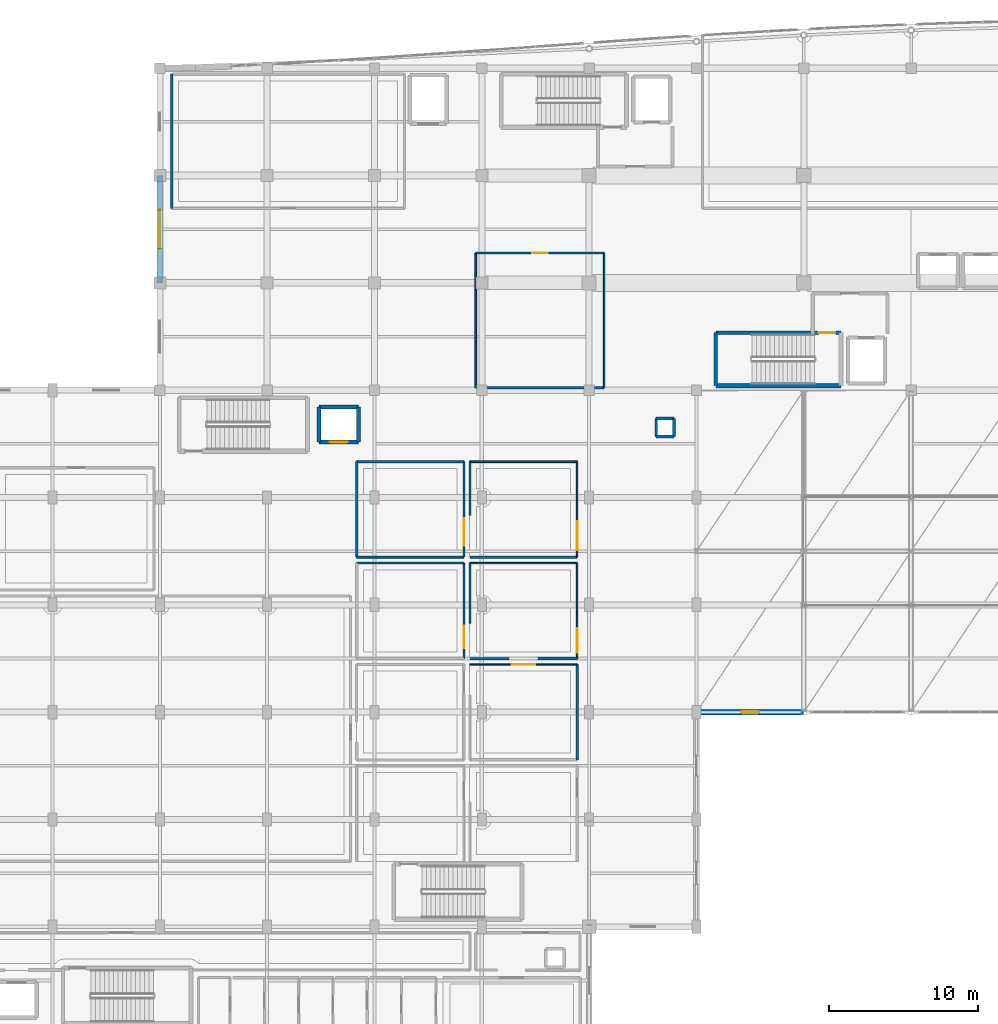
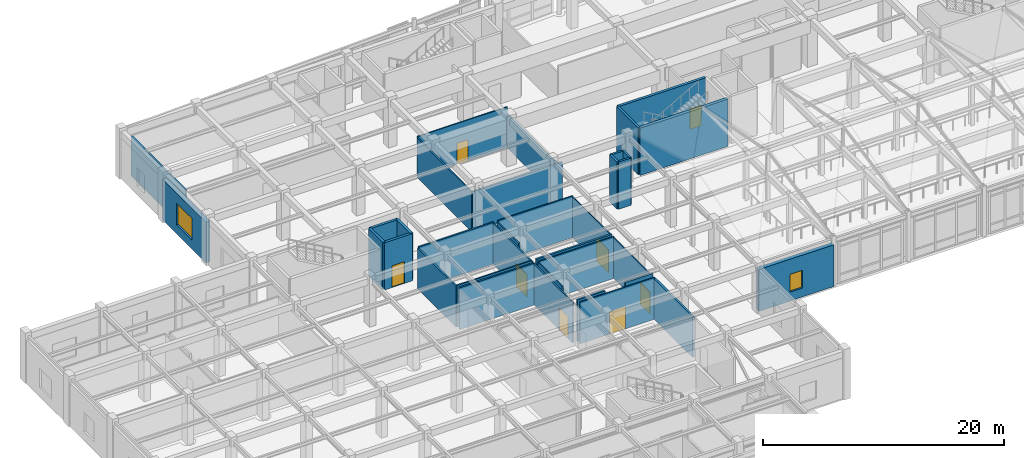
# One storey, part 90 of 117: 35 walls, 8 doors, 2 windows, 10 openings.
"""IFC4 building model written with IfcOpenShell, lengths in metres."""

from ifc_helpers import new_model, si_unit, direction, frame, frame_2d, origin, place, context, subcontext, project, spatial, rectangle, extrude, material, layer, layer_set, type_object, element, fill, save


model = new_model("IFC4")

# Units and contexts
model_context = context("Model", 3, precision=1e-05, world=origin(), true_north=direction((0.0, 1.0)))
body_context = subcontext(model_context, "Body", "Model", "MODEL_VIEW")
ifc_project = project(units=[si_unit("LENGTHUNIT", "METRE"), si_unit("AREAUNIT", "SQUARE_METRE"), si_unit("VOLUMEUNIT", "CUBIC_METRE"), si_unit("PLANEANGLEUNIT", "RADIAN"), si_unit("MASSUNIT", "GRAM", prefix="KILO")], contexts=[model_context])

# Site, building, storey
site_placement = place(None, origin())
site = spatial("IfcSite", under=ifc_project, at=site_placement, CompositionType="ELEMENT")
building_placement = place(site_placement, origin())
building = spatial("IfcBuilding", under=site, at=building_placement, Name="Carrowvane Square Congress Hotel", CompositionType="ELEMENT")
storey_placement = place(building_placement, frame((0.0, 0.0, 5.39990234375)))
storey = spatial("IfcBuildingStorey", under=building, at=storey_placement, Name="L01", CompositionType="ELEMENT", Elevation=5.39990234375)

# Wall, opening, window
ifc_material_1 = material(Name="Portland limestone cladding", Category="masonry")
ifc_layer_1 = layer(ifc_material_1, 0.3798828125)
ifc_layer_set_1 = layer_set([ifc_layer_1], Name="Portland limestone cladding")
wall_type_1 = type_object("IfcWallType", Name="WL-EXT-LS380", PredefinedType="STANDARD", material=ifc_layer_set_1)
wall_1_placement = place(storey_placement, frame((76.39990234375, 70.199951171875, 0.0), z_axis=(0.0, 0.0, 1.0), x_axis=(-1.0, 0.0, 0.0)))
wall_1 = element("IfcWall", 1, at=wall_1_placement, inside=storey, type_object=wall_type_1, Name="L01 exterior facade wall 251", PredefinedType="STANDARD", context=body_context, shape_type="SweptSolid", body=[
    extrude(rectangle(XDim=7.199951171875, YDim=0.3798828125, at=frame_2d((3.60009765625, 0.0))), origin(), (0.0, 0.0, 1.0), 4.228515625),
])
opening_1_placement = place(wall_1_placement, frame((3.0, 0.0, 0.89990234375)))
opening_1 = element("IfcOpeningElement", 2, at=opening_1_placement, cuts=wall_1, Name="Opening W-01", PredefinedType="OPENING", context=body_context, shape_type="SweptSolid", body=[
    extrude(rectangle(XDim=1.199951171875, YDim=1.800048828125, at=frame_2d((0.60009765625, 0.89990234375))), frame((0.0, 0.199951171875, 0.0), z_axis=(0.0, -1.0, 0.0), x_axis=(1.0, 0.0, 0.0)), (0.0, 0.0, 1.0), 0.39990234375),
])
ifc_material_2 = material(Name="Double-glazed low-E glass", Category="glass")
window_type_1 = type_object("IfcWindowType", Name="WIN-01", PartitioningType="SINGLE_PANEL", PredefinedType="WINDOW", material=ifc_material_2)
window_1_placement = place(opening_1_placement, origin())
window_1 = element("IfcWindow", 3, at=window_1_placement, inside=storey, type_object=window_type_1, Name="L01 facade window 74", OverallHeight=1.800048828125, OverallWidth=1.199951171875, PartitioningType="SINGLE_PANEL", PredefinedType="WINDOW", context=body_context, shape_type="SweptSolid", body=[
    extrude(rectangle(XDim=1.199951171875, YDim=1.800048828125, at=frame_2d((0.60009765625, 0.89990234375))), frame((0.0, 0.030029296875, 0.0), z_axis=(0.0, -1.0, 0.0), x_axis=(1.0, 0.0, 0.0)), (0.0, 0.0, 1.0), 0.06005859375),
])
fill(opening_1, window_1)

ifc_material_3 = material(Name="Glazed terracotta rainscreen", Category="masonry")
ifc_layer_2 = layer(ifc_material_3, 0.39990234375)
ifc_layer_set_2 = layer_set([ifc_layer_2], Name="Glazed terracotta rainscreen")
wall_type_2 = type_object("IfcWallType", Name="WL-EXT-TC400", PredefinedType="STANDARD", material=ifc_layer_set_2)
wall_2_placement = place(storey_placement, frame((33.199951171875, 99.0, 0.0), z_axis=(0.0, 0.0, 1.0), x_axis=(0.0, 1.0, 0.0)))
wall_2 = element("IfcWall", 4, at=wall_2_placement, inside=storey, type_object=wall_type_2, Name="L01 exterior facade wall 214", PredefinedType="STANDARD", context=body_context, shape_type="SweptSolid", body=[
    extrude(rectangle(XDim=7.199951171875, YDim=0.39990234375, at=frame_2d((3.60009765625, 0.0))), origin(), (0.0, 0.0, 1.0), 4.114990234375),
])
opening_2_placement = place(wall_2_placement, frame((2.300048828125, 0.0, 0.89990234375)))
opening_2 = element("IfcOpeningElement", 5, at=opening_2_placement, cuts=wall_2, Name="Opening W-36", PredefinedType="OPENING", context=body_context, shape_type="SweptSolid", body=[
    extrude(rectangle(XDim=2.60009765625, YDim=2.199951171875, at=frame_2d((1.300048828125, 1.10009765625))), frame((0.0, 0.2099609375, 0.0), z_axis=(0.0, -1.0, 0.0), x_axis=(1.0, 0.0, 0.0)), (0.0, 0.0, 1.0), 0.419921875),
])
ifc_material_4 = material(Name="Double-glazed low-E glass", Category="glass")
window_type_2 = type_object("IfcWindowType", Name="WIN-36", PartitioningType="SINGLE_PANEL", PredefinedType="WINDOW", material=ifc_material_4)
window_2_placement = place(opening_2_placement, origin())
window_2 = element("IfcWindow", 6, at=window_2_placement, inside=storey, type_object=window_type_2, Name="L01 facade window 41", OverallHeight=2.199951171875, OverallWidth=2.60009765625, PartitioningType="SINGLE_PANEL", PredefinedType="WINDOW", context=body_context, shape_type="SweptSolid", body=[
    extrude(rectangle(XDim=2.60009765625, YDim=2.199951171875, at=frame_2d((1.300048828125, 1.10009765625))), frame((0.0, 0.030029296875, 0.0), z_axis=(0.0, -1.0, 0.0), x_axis=(1.0, 0.0, 0.0)), (0.0, 0.0, 1.0), 0.06005859375),
])
fill(opening_2, window_2)

# Walls
ifc_material_5 = material(Name="Acoustic gypsum board", Category="gypsum")
ifc_layer_3 = layer(ifc_material_5, 0.155029296875)
ifc_layer_set_3 = layer_set([ifc_layer_3], Name="Acoustic gypsum board")
wall_type_3 = type_object("IfcWallType", Name="WL-FIR-155", PredefinedType="PARTITIONING", material=ifc_layer_set_3)
wall_3_placement = place(storey_placement, frame((46.39990234375, 80.60009765625, 0.0), z_axis=(0.0, 0.0, 1.0), x_axis=(0.0, 1.0, 0.0)))
element("IfcWall", 7, at=wall_3_placement, inside=storey, type_object=wall_type_3, Name="L01 Thermal Treatment Suite 107 partition", PredefinedType="PARTITIONING", context=body_context, shape_type="SweptSolid", body=[
    extrude(rectangle(XDim=6.39990234375, YDim=0.155029296875, at=frame_2d((3.199951171875, 0.0))), origin(), (0.0, 0.0, 1.0), 4.114990234375),
])
wall_4_placement = place(storey_placement, frame((34.0, 104.0, 0.0), z_axis=(0.0, 0.0, 1.0), x_axis=(0.0, 1.0, 0.0)))
element("IfcWall", 8, at=wall_4_placement, inside=storey, type_object=wall_type_3, Name="L01 Sommelier Wine Tasting Cellar partition", PredefinedType="PARTITIONING", context=body_context, shape_type="SweptSolid", body=[
    extrude(rectangle(XDim=9.0, YDim=0.155029296875, at=frame_2d((4.5, 0.0))), origin(), (0.0, 0.0, 1.0), 4.01513671875),
])
ifc_material_6 = material(Name="Acoustic gypsum board", Category="gypsum")
ifc_layer_4 = layer(ifc_material_6, 0.169921875)
ifc_layer_set_4 = layer_set([ifc_layer_4], Name="Acoustic gypsum board")
wall_type_4 = type_object("IfcWallType", Name="WL-FIR-170", PredefinedType="PARTITIONING", material=ifc_layer_set_4)
wall_5_placement = place(storey_placement, frame((56.639892578125, 73.800048828125, 0.0), z_axis=(0.0, 0.0, 1.0), x_axis=(-1.0, 0.0, 0.0)))
element("IfcWall", 9, at=wall_5_placement, inside=storey, type_object=wall_type_4, Name="L01 Thermal Treatment Suite 106 partition", PredefinedType="PARTITIONING", context=body_context, shape_type="SweptSolid", body=[
    extrude(rectangle(XDim=2.639892578125, YDim=0.169921875, at=frame_2d((1.31982421875, 0.0))), origin(), (0.0, 0.0, 1.0), 4.228515625),
])
ifc_material_7 = material(Name="Acoustic gypsum board", Category="gypsum")
ifc_layer_5 = layer(ifc_material_7, 0.18505859375)
ifc_layer_set_5 = layer_set([ifc_layer_5], Name="Acoustic gypsum board")
wall_type_5 = type_object("IfcWallType", Name="WL-FIR-185", PredefinedType="PARTITIONING", material=ifc_layer_set_5)
wall_6_placement = place(storey_placement, frame((61.199951171875, 73.39990234375, 0.0), z_axis=(0.0, 0.0, 1.0), x_axis=(0.0, -1.0, 0.0)))
element("IfcWall", 10, at=wall_6_placement, inside=storey, type_object=wall_type_5, Name="L01 Thermal Treatment Suite 104 partition", PredefinedType="PARTITIONING", context=body_context, shape_type="SweptSolid", body=[
    extrude(rectangle(XDim=6.39990234375, YDim=0.18505859375, at=frame_2d((3.199951171875, 0.0))), origin(), (0.0, 0.0, 1.0), 4.114990234375),
])
wall_7_placement = place(storey_placement, frame((61.199951171875, 73.800048828125, 0.0), z_axis=(0.0, 0.0, 1.0), x_axis=(-1.0, 0.0, 0.0)))
element("IfcWall", 11, at=wall_7_placement, inside=storey, type_object=wall_type_5, Name="L01 Thermal Treatment Suite 106 partition", PredefinedType="PARTITIONING", context=body_context, shape_type="SweptSolid", body=[
    extrude(rectangle(XDim=2.639892578125, YDim=0.18505859375, at=frame_2d((1.31982421875, 0.0))), origin(), (0.0, 0.0, 1.0), 4.406982421875),
])
wall_8_placement = place(storey_placement, frame((61.199951171875, 80.60009765625, 0.0), z_axis=(0.0, 0.0, 1.0), x_axis=(-1.0, 0.0, 0.0)))
element("IfcWall", 12, at=wall_8_placement, inside=storey, type_object=wall_type_5, Name="L01 Thermal Treatment Suite 108 partition", PredefinedType="PARTITIONING", context=body_context, shape_type="SweptSolid", body=[
    extrude(rectangle(XDim=7.199951171875, YDim=0.18505859375, at=frame_2d((3.60009765625, 0.0))), origin(), (0.0, 0.0, 1.0), 4.228515625),
])
wall_9_placement = place(storey_placement, frame((63.0, 91.9599609375, 0.0), z_axis=(0.0, 0.0, 1.0), x_axis=(-1.0, 0.0, 0.0)))
element("IfcWall", 13, at=wall_9_placement, inside=storey, type_object=wall_type_5, Name="L01 First Floor Accessible WC partition", PredefinedType="PARTITIONING", context=body_context, shape_type="SweptSolid", body=[
    extrude(rectangle(XDim=8.60009765625, YDim=0.18505859375, at=frame_2d((4.300048828125, 0.0))), origin(), (0.0, 0.0, 1.0), 4.01513671875),
])
ifc_material_8 = material(Name="Standing-seam zinc cladding", Category="metal")
ifc_layer_6 = layer(ifc_material_8, 0.195068359375)
ifc_layer_set_6 = layer_set([ifc_layer_6], Name="Standing-seam zinc cladding")
wall_type_6 = type_object("IfcWallType", Name="WL-PAR-195", PredefinedType="PARAPET", material=ifc_layer_set_6)
for number, where, z_axis, x_axis, name in (
    (14, (66.5, 88.699951171875, 0.0), (0.0, 0.0, 1.0), (1.0, 0.0, 0.0), "L01 service riser RSR-V4 enclosure S"),
    (15, (67.699951171875, 88.699951171875, 0.0), (0.0, 0.0, 1.0), (0.0, 1.0, 0.0), "L01 service riser RSR-V4 enclosure E"),
    (16, (67.699951171875, 89.89990234375, 0.0), (0.0, 0.0, 1.0), (-1.0, 0.0, 0.0), "L01 service riser RSR-V4 enclosure N"),
    (17, (66.5, 89.89990234375, 0.0), (0.0, 0.0, 1.0), (0.0, -1.0, 0.0), "L01 service riser RSR-V4 enclosure W"),
):
    element("IfcWall", number, at=place(storey_placement, frame(where, z_axis=z_axis, x_axis=x_axis)), inside=storey, type_object=wall_type_6, Name=name, PredefinedType="PARAPET", context=body_context, shape_type="SweptSolid", body=[
        extrude(rectangle(XDim=1.199951171875, YDim=0.195068359375, at=frame_2d((0.60009765625, 0.0))), origin(), (0.0, 0.0, 1.0), 4.780029296875),
    ])

# Wall, opening, door
ifc_material_9 = material(Name="Acoustic gypsum board", Category="gypsum")
ifc_layer_7 = layer(ifc_material_9, 0.097900390625)
ifc_layer_set_7 = layer_set([ifc_layer_7], Name="Acoustic gypsum board")
wall_type_7 = type_object("IfcWallType", Name="WL-PRT-098", PredefinedType="PARTITIONING", material=ifc_layer_set_7)
wall_10_placement = place(storey_placement, frame((54.0, 73.39990234375, 0.0), z_axis=(0.0, 0.0, 1.0), x_axis=(1.0, 0.0, 0.0)))
wall_10 = element("IfcWall", 18, at=wall_10_placement, inside=storey, type_object=wall_type_7, Name="L01 Thermal Treatment Suite 104 partition", PredefinedType="PARTITIONING", context=body_context, shape_type="SweptSolid", body=[
    extrude(rectangle(XDim=7.199951171875, YDim=0.097900390625, at=frame_2d((3.60009765625, 0.0))), origin(), (0.0, 0.0, 1.0), 4.228515625),
])
opening_3_placement = place(wall_10_placement, frame((2.820068359375, 0.0, 0.0)))
opening_3 = element("IfcOpeningElement", 19, at=opening_3_placement, cuts=wall_10, Name="Opening ID-26", PredefinedType="OPENING", context=body_context, shape_type="SweptSolid", body=[
    extrude(rectangle(XDim=1.56005859375, YDim=2.260009765625, at=frame_2d((0.780029296875, 1.1298828125))), frame((0.0, 0.058837890625, 0.0), z_axis=(0.0, -1.0, 0.0), x_axis=(1.0, 0.0, 0.0)), (0.0, 0.0, 1.0), 0.117919921875),
])
ifc_material_10 = material(Name="European oak timber", Category="wood")
door_type_1 = type_object("IfcDoorType", Name="DR-INT-1560x2260", OperationType="DOUBLE_DOOR_SINGLE_SWING", PredefinedType="DOOR", material=ifc_material_10)
door_1_placement = place(opening_3_placement, origin())
door_1 = element("IfcDoor", 20, at=door_1_placement, inside=storey, type_object=door_type_1, Name="L01 Thermal Treatment Suite 104 entrance door", OperationType="DOUBLE_DOOR_SINGLE_SWING", OverallHeight=2.260009765625, OverallWidth=1.56005859375, PredefinedType="DOOR", context=body_context, shape_type="SweptSolid", body=[
    extrude(rectangle(XDim=1.56005859375, YDim=2.260009765625, at=frame_2d((0.780029296875, 1.1298828125))), frame((0.0, 0.02490234375, 0.0), z_axis=(0.0, -1.0, 0.0), x_axis=(1.0, 0.0, 0.0)), (0.0, 0.0, 1.0), 0.050048828125),
])
fill(opening_3, door_1)

wall_11_placement = place(storey_placement, frame((61.199951171875, 80.199951171875, 0.0), z_axis=(0.0, 0.0, 1.0), x_axis=(0.0, -1.0, 0.0)))
wall_11 = element("IfcWall", 21, at=wall_11_placement, inside=storey, type_object=wall_type_7, Name="L01 Thermal Treatment Suite 106 partition", PredefinedType="PARTITIONING", context=body_context, shape_type="SweptSolid", body=[
    extrude(rectangle(XDim=6.39990234375, YDim=0.097900390625, at=frame_2d((3.199951171875, 0.0))), origin(), (0.0, 0.0, 1.0), 4.114990234375),
])
opening_4_placement = place(wall_11_placement, frame((4.375, 0.0, 0.0)))
opening_4 = element("IfcOpeningElement", 22, at=opening_4_placement, cuts=wall_11, Name="Opening ID-12", PredefinedType="OPENING", context=body_context, shape_type="SweptSolid", body=[
    extrude(rectangle(XDim=1.64990234375, YDim=2.25, at=frame_2d((0.824951171875, 1.125))), frame((0.0, 0.058837890625, 0.0), z_axis=(0.0, -1.0, 0.0), x_axis=(1.0, 0.0, 0.0)), (0.0, 0.0, 1.0), 0.117919921875),
])
ifc_material_11 = material(Name="European oak timber", Category="wood")
door_type_2 = type_object("IfcDoorType", Name="DR-INT-1650x2250", OperationType="DOUBLE_DOOR_SINGLE_SWING", PredefinedType="DOOR", material=ifc_material_11)
door_2_placement = place(opening_4_placement, origin())
door_2 = element("IfcDoor", 23, at=door_2_placement, inside=storey, type_object=door_type_2, Name="L01 Thermal Treatment Suite 106 entrance door", OperationType="DOUBLE_DOOR_SINGLE_SWING", OverallHeight=2.25, OverallWidth=1.64990234375, PredefinedType="DOOR", context=body_context, shape_type="SweptSolid", body=[
    extrude(rectangle(XDim=1.64990234375, YDim=2.25, at=frame_2d((0.824951171875, 1.125))), frame((0.0, 0.02490234375, 0.0), z_axis=(0.0, -1.0, 0.0), x_axis=(1.0, 0.0, 0.0)), (0.0, 0.0, 1.0), 0.050048828125),
])
fill(opening_4, door_2)

wall_12_placement = place(storey_placement, frame((61.199951171875, 87.0, 0.0), z_axis=(0.0, 0.0, 1.0), x_axis=(0.0, -1.0, 0.0)))
wall_12 = element("IfcWall", 24, at=wall_12_placement, inside=storey, type_object=wall_type_7, Name="L01 Thermal Treatment Suite 108 partition", PredefinedType="PARTITIONING", context=body_context, shape_type="SweptSolid", body=[
    extrude(rectangle(XDim=6.39990234375, YDim=0.097900390625, at=frame_2d((3.199951171875, 0.0))), origin(), (0.0, 0.0, 1.0), 4.114990234375),
])
opening_5_placement = place(wall_12_placement, frame((3.97509765625, 0.0, 0.0)))
opening_5 = element("IfcOpeningElement", 25, at=opening_5_placement, cuts=wall_12, Name="Opening ID-14", PredefinedType="OPENING", context=body_context, shape_type="SweptSolid", body=[
    extrude(rectangle(XDim=1.949951171875, YDim=2.35009765625, at=frame_2d((0.97509765625, 1.175048828125))), frame((0.0, 0.058837890625, 0.0), z_axis=(0.0, -1.0, 0.0), x_axis=(1.0, 0.0, 0.0)), (0.0, 0.0, 1.0), 0.117919921875),
])
ifc_material_12 = material(Name="European oak timber", Category="wood")
door_type_3 = type_object("IfcDoorType", Name="DR-INT-1950x2350", OperationType="DOUBLE_DOOR_SINGLE_SWING", PredefinedType="DOOR", material=ifc_material_12)
door_3_placement = place(opening_5_placement, origin())
door_3 = element("IfcDoor", 26, at=door_3_placement, inside=storey, type_object=door_type_3, Name="L01 Thermal Treatment Suite 108 entrance door", OperationType="DOUBLE_DOOR_SINGLE_SWING", OverallHeight=2.35009765625, OverallWidth=1.949951171875, PredefinedType="DOOR", context=body_context, shape_type="SweptSolid", body=[
    extrude(rectangle(XDim=1.949951171875, YDim=2.35009765625, at=frame_2d((0.97509765625, 1.175048828125))), frame((0.0, 0.02490234375, 0.0), z_axis=(0.0, -1.0, 0.0), x_axis=(1.0, 0.0, 0.0)), (0.0, 0.0, 1.0), 0.050048828125),
])
fill(opening_5, door_3)

# Walls
wall_13_placement = place(storey_placement, frame((63.0, 101.0, 0.0), z_axis=(0.0, 0.0, 1.0), x_axis=(0.0, -1.0, 0.0)))
element("IfcWall", 27, at=wall_13_placement, inside=storey, type_object=wall_type_7, Name="L01 First Floor Accessible WC partition", PredefinedType="PARTITIONING", context=body_context, shape_type="SweptSolid", body=[
    extrude(rectangle(XDim=9.0400390625, YDim=0.097900390625, at=frame_2d((4.52001953125, 0.0))), origin(), (0.0, 0.0, 1.0), 3.445068359375),
])
ifc_material_13 = material(Name="Acoustic gypsum board", Category="gypsum")
ifc_layer_8 = layer(ifc_material_13, 0.10791015625)
ifc_layer_set_8 = layer_set([ifc_layer_8], Name="Acoustic gypsum board")
wall_type_8 = type_object("IfcWallType", Name="WL-PRT-108", PredefinedType="PARTITIONING", material=ifc_layer_set_8)
for number, where, z_axis, x_axis, name in (
    (28, (54.0, 80.199951171875, 0.0), (0.0, 0.0, 1.0), (1.0, 0.0, 0.0), "L01 Thermal Treatment Suite 106 partition"),
    (29, (54.0, 87.0, 0.0), (0.0, 0.0, 1.0), (1.0, 0.0, 0.0), "L01 Thermal Treatment Suite 108 partition"),
):
    element("IfcWall", number, at=place(storey_placement, frame(where, z_axis=z_axis, x_axis=x_axis)), inside=storey, type_object=wall_type_8, Name=name, PredefinedType="PARTITIONING", context=body_context, shape_type="SweptSolid", body=[
        extrude(rectangle(XDim=7.199951171875, YDim=0.10791015625, at=frame_2d((3.60009765625, 0.0))), origin(), (0.0, 0.0, 1.0), 4.228515625),
    ])

# Wall, opening, door
wall_14_placement = place(storey_placement, frame((54.39990234375, 101.0, 0.0), z_axis=(0.0, 0.0, 1.0), x_axis=(1.0, 0.0, 0.0)))
wall_14 = element("IfcWall", 30, at=wall_14_placement, inside=storey, type_object=wall_type_8, Name="L01 First Floor Accessible WC partition", PredefinedType="PARTITIONING", context=body_context, shape_type="SweptSolid", body=[
    extrude(rectangle(XDim=8.60009765625, YDim=0.10791015625, at=frame_2d((4.300048828125, 0.0))), origin(), (0.0, 0.0, 1.0), 4.114990234375),
])
opening_6_placement = place(wall_14_placement, frame((3.780029296875, 0.0, 0.0)))
opening_6 = element("IfcOpeningElement", 31, at=opening_6_placement, cuts=wall_14, Name="Opening ID-07", PredefinedType="OPENING", context=body_context, shape_type="SweptSolid", body=[
    extrude(rectangle(XDim=1.0400390625, YDim=2.1201171875, at=frame_2d((0.52001953125, 1.06005859375))), frame((0.0, 0.06396484375, 0.0), z_axis=(0.0, -1.0, 0.0), x_axis=(1.0, 0.0, 0.0)), (0.0, 0.0, 1.0), 0.1279296875),
])
ifc_material_14 = material(Name="European oak timber", Category="wood")
door_type_4 = type_object("IfcDoorType", Name="DR-INT-1040x2120", OperationType="NOTDEFINED", PredefinedType="DOOR", material=ifc_material_14)
door_4_placement = place(opening_6_placement, origin())
door_4 = element("IfcDoor", 32, at=door_4_placement, inside=storey, type_object=door_type_4, Name="L01 First Floor Accessible WC entrance door", OperationType="SINGLE_SWING_RIGHT", OverallHeight=2.1201171875, OverallWidth=1.0400390625, PredefinedType="DOOR", context=body_context, shape_type="SweptSolid", body=[
    extrude(rectangle(XDim=1.0400390625, YDim=2.1201171875, at=frame_2d((0.52001953125, 1.06005859375))), frame((0.0, 0.02490234375, 0.0), z_axis=(0.0, -1.0, 0.0), x_axis=(1.0, 0.0, 0.0)), (0.0, 0.0, 1.0), 0.050048828125),
])
fill(opening_6, door_4)

# Walls
ifc_material_15 = material(Name="Acoustic gypsum board", Category="gypsum")
ifc_layer_9 = layer(ifc_material_15, 0.117919921875)
ifc_layer_set_9 = layer_set([ifc_layer_9], Name="Acoustic gypsum board")
wall_type_9 = type_object("IfcWallType", Name="WL-PRT-118", PredefinedType="PARTITIONING", material=ifc_layer_set_9)
wall_15_placement = place(storey_placement, frame((54.0, 76.179931640625, 0.0), z_axis=(0.0, 0.0, 1.0), x_axis=(0.0, 1.0, 0.0)))
element("IfcWall", 33, at=wall_15_placement, inside=storey, type_object=wall_type_9, Name="L01 Thermal Treatment Suite 106 partition", PredefinedType="PARTITIONING", context=body_context, shape_type="SweptSolid", body=[
    extrude(rectangle(XDim=4.02001953125, YDim=0.117919921875, at=frame_2d((2.010009765625, 0.0))), origin(), (0.0, 0.0, 1.0), 4.114990234375),
])
wall_16_placement = place(storey_placement, frame((54.0, 83.405029296875, 0.0), z_axis=(0.0, 0.0, 1.0), x_axis=(0.0, 1.0, 0.0)))
element("IfcWall", 34, at=wall_16_placement, inside=storey, type_object=wall_type_9, Name="L01 Thermal Treatment Suite 108 partition", PredefinedType="PARTITIONING", context=body_context, shape_type="SweptSolid", body=[
    extrude(rectangle(XDim=3.594970703125, YDim=0.117919921875, at=frame_2d((1.79736328125, 0.0))), origin(), (0.0, 0.0, 1.0), 4.114990234375),
])
wall_17_placement = place(storey_placement, frame((54.39990234375, 91.9599609375, 0.0), z_axis=(0.0, 0.0, 1.0), x_axis=(0.0, 1.0, 0.0)))
element("IfcWall", 35, at=wall_17_placement, inside=storey, type_object=wall_type_9, Name="L01 First Floor Accessible WC partition", PredefinedType="PARTITIONING", context=body_context, shape_type="SweptSolid", body=[
    extrude(rectangle(XDim=9.0400390625, YDim=0.117919921875, at=frame_2d((4.52001953125, 0.0))), origin(), (0.0, 0.0, 1.0), 4.01513671875),
])
ifc_material_16 = material(Name="Acoustic gypsum board", Category="gypsum")
ifc_layer_10 = layer(ifc_material_16, 0.1279296875)
ifc_layer_set_10 = layer_set([ifc_layer_10], Name="Acoustic gypsum board")
wall_type_10 = type_object("IfcWallType", Name="WL-PRT-128", PredefinedType="PARTITIONING", material=ifc_layer_set_10)
wall_18_placement = place(storey_placement, frame((53.60009765625, 80.60009765625, 0.0), z_axis=(0.0, 0.0, 1.0), x_axis=(-1.0, 0.0, 0.0)))
element("IfcWall", 36, at=wall_18_placement, inside=storey, type_object=wall_type_10, Name="L01 Thermal Treatment Suite 107 partition", PredefinedType="PARTITIONING", context=body_context, shape_type="SweptSolid", body=[
    extrude(rectangle(XDim=7.2001953125, YDim=0.1279296875, at=frame_2d((3.60009765625, 0.0))), origin(), (0.0, 0.0, 1.0), 4.228515625),
])

# Wall, opening, door
ifc_material_17 = material(Name="Acoustic gypsum board", Category="gypsum")
ifc_layer_11 = layer(ifc_material_17, 0.137939453125)
ifc_layer_set_11 = layer_set([ifc_layer_11], Name="Acoustic gypsum board")
wall_type_11 = type_object("IfcWallType", Name="WL-PRT-138", PredefinedType="PARTITIONING", material=ifc_layer_set_11)
wall_19_placement = place(storey_placement, frame((53.60009765625, 80.199951171875, 0.0), z_axis=(0.0, 0.0, 1.0), x_axis=(0.0, -1.0, 0.0)))
wall_19 = element("IfcWall", 37, at=wall_19_placement, inside=storey, type_object=wall_type_11, Name="L01 Thermal Treatment Suite 105 partition", PredefinedType="PARTITIONING", context=body_context, shape_type="SweptSolid", body=[
    extrude(rectangle(XDim=6.39990234375, YDim=0.137939453125, at=frame_2d((3.199951171875, 0.0))), origin(), (0.0, 0.0, 1.0), 4.114990234375),
])
opening_7_placement = place(wall_19_placement, frame((4.199951171875, 0.0, 0.0)))
opening_7 = element("IfcOpeningElement", 38, at=opening_7_placement, cuts=wall_19, Name="Opening ID-11", PredefinedType="OPENING", context=body_context, shape_type="SweptSolid", body=[
    extrude(rectangle(XDim=1.5, YDim=2.199951171875, at=frame_2d((0.75, 1.10009765625))), frame((0.0, 0.078857421875, 0.0), z_axis=(0.0, -1.0, 0.0), x_axis=(1.0, 0.0, 0.0)), (0.0, 0.0, 1.0), 0.157958984375),
])
ifc_material_18 = material(Name="European oak timber", Category="wood")
door_type_5 = type_object("IfcDoorType", Name="DR-INT-1500x2200", OperationType="DOUBLE_DOOR_SINGLE_SWING", PredefinedType="DOOR", material=ifc_material_18)
door_5_placement = place(opening_7_placement, origin())
door_5 = element("IfcDoor", 39, at=door_5_placement, inside=storey, type_object=door_type_5, Name="L01 Thermal Treatment Suite 105 entrance door", OperationType="DOUBLE_DOOR_SINGLE_SWING", OverallHeight=2.199951171875, OverallWidth=1.5, PredefinedType="DOOR", context=body_context, shape_type="SweptSolid", body=[
    extrude(rectangle(XDim=1.5, YDim=2.199951171875, at=frame_2d((0.75, 1.10009765625))), frame((0.0, 0.02490234375, 0.0), z_axis=(0.0, -1.0, 0.0), x_axis=(1.0, 0.0, 0.0)), (0.0, 0.0, 1.0), 0.050048828125),
])
fill(opening_7, door_5)

wall_20_placement = place(storey_placement, frame((53.60009765625, 87.0, 0.0), z_axis=(0.0, 0.0, 1.0), x_axis=(0.0, -1.0, 0.0)))
wall_20 = element("IfcWall", 40, at=wall_20_placement, inside=storey, type_object=wall_type_11, Name="L01 Thermal Treatment Suite 107 partition", PredefinedType="PARTITIONING", context=body_context, shape_type="SweptSolid", body=[
    extrude(rectangle(XDim=6.39990234375, YDim=0.137939453125, at=frame_2d((3.199951171875, 0.0))), origin(), (0.0, 0.0, 1.0), 4.114990234375),
])
opening_8_placement = place(wall_20_placement, frame((3.77490234375, 0.0, 0.0)))
opening_8 = element("IfcOpeningElement", 41, at=opening_8_placement, cuts=wall_20, Name="Opening ID-13", PredefinedType="OPENING", context=body_context, shape_type="SweptSolid", body=[
    extrude(rectangle(XDim=1.85009765625, YDim=2.300048828125, at=frame_2d((0.925048828125, 1.14990234375))), frame((0.0, 0.078857421875, 0.0), z_axis=(0.0, -1.0, 0.0), x_axis=(1.0, 0.0, 0.0)), (0.0, 0.0, 1.0), 0.157958984375),
])
ifc_material_19 = material(Name="European oak timber", Category="wood")
door_type_6 = type_object("IfcDoorType", Name="DR-INT-1850x2300", OperationType="DOUBLE_DOOR_SINGLE_SWING", PredefinedType="DOOR", material=ifc_material_19)
door_6_placement = place(opening_8_placement, origin())
door_6 = element("IfcDoor", 42, at=door_6_placement, inside=storey, type_object=door_type_6, Name="L01 Thermal Treatment Suite 107 entrance door", OperationType="DOUBLE_DOOR_SINGLE_SWING", OverallHeight=2.300048828125, OverallWidth=1.85009765625, PredefinedType="DOOR", context=body_context, shape_type="SweptSolid", body=[
    extrude(rectangle(XDim=1.85009765625, YDim=2.300048828125, at=frame_2d((0.925048828125, 1.14990234375))), frame((0.0, 0.02490234375, 0.0), z_axis=(0.0, -1.0, 0.0), x_axis=(1.0, 0.0, 0.0)), (0.0, 0.0, 1.0), 0.050048828125),
])
fill(opening_8, door_6)

# Walls
ifc_material_20 = material(Name="Acoustic gypsum board", Category="gypsum")
ifc_layer_12 = layer(ifc_material_20, 0.14794921875)
ifc_layer_set_12 = layer_set([ifc_layer_12], Name="Acoustic gypsum board")
wall_type_12 = type_object("IfcWallType", Name="WL-PRT-148", PredefinedType="PARTITIONING", material=ifc_layer_set_12)
for number, where, z_axis, x_axis, name in (
    (43, (46.39990234375, 80.199951171875, 0.0), (0.0, 0.0, 1.0), (1.0, 0.0, 0.0), "L01 Thermal Treatment Suite 105 partition"),
    (44, (46.39990234375, 87.0, 0.0), (0.0, 0.0, 1.0), (1.0, 0.0, 0.0), "L01 Thermal Treatment Suite 107 partition"),
):
    element("IfcWall", number, at=place(storey_placement, frame(where, z_axis=z_axis, x_axis=x_axis)), inside=storey, type_object=wall_type_12, Name=name, PredefinedType="PARTITIONING", context=body_context, shape_type="SweptSolid", body=[
        extrude(rectangle(XDim=7.2001953125, YDim=0.14794921875, at=frame_2d((3.60009765625, 0.0))), origin(), (0.0, 0.0, 1.0), 4.228515625),
    ])
ifc_material_21 = material(Name="Concrete C40/50", Category="concrete")
ifc_layer_13 = layer(ifc_material_21, 0.22509765625)
ifc_layer_set_13 = layer_set([ifc_layer_13], Name="Concrete C40/50")
wall_type_13 = type_object("IfcWallType", Name="WL-SHR-225", PredefinedType="SHEAR", material=ifc_layer_set_13)
wall_21_placement = place(storey_placement, frame((70.5, 95.659912109375, 0.0), z_axis=(0.0, 0.0, 1.0), x_axis=(0.0, -1.0, 0.0)))
element("IfcWall", 45, at=wall_21_placement, inside=storey, type_object=wall_type_13, Name="L01 ST2 core wall west", PredefinedType="SHEAR", context=body_context, shape_type="SweptSolid", body=[
    extrude(rectangle(XDim=3.559814453125, YDim=0.22509765625, at=frame_2d((1.77978515625, 0.0))), origin(), (0.0, 0.0, 1.0), 4.780029296875),
])

# Wall, opening, door
ifc_material_22 = material(Name="Concrete C40/50", Category="concrete")
ifc_layer_14 = layer(ifc_material_22, 0.25)
ifc_layer_set_14 = layer_set([ifc_layer_14], Name="Concrete C40/50")
wall_type_14 = type_object("IfcWallType", Name="WL-SHR-250", PredefinedType="SHEAR", material=ifc_layer_set_14)
wall_22_placement = place(storey_placement, frame((78.89990234375, 95.659912109375, 0.0), z_axis=(0.0, 0.0, 1.0), x_axis=(-1.0, 0.0, 0.0)))
wall_22 = element("IfcWall", 46, at=wall_22_placement, inside=storey, type_object=wall_type_14, Name="L01 ST2 core wall north", PredefinedType="SHEAR", context=body_context, shape_type="SweptSolid", body=[
    extrude(rectangle(XDim=8.39990234375, YDim=0.25, at=frame_2d((4.199951171875, 0.0))), origin(), (0.0, 0.0, 1.0), 4.780029296875),
])
opening_9_placement = place(wall_22_placement, frame((0.389892578125, 0.0, 0.0)))
opening_9 = element("IfcOpeningElement", 47, at=opening_9_placement, cuts=wall_22, Name="Opening FD-01", PredefinedType="OPENING", context=body_context, shape_type="SweptSolid", body=[
    extrude(rectangle(XDim=1.10009765625, YDim=2.10009765625, at=frame_2d((0.550048828125, 1.050048828125))), frame((0.0, 0.135009765625, 0.0), z_axis=(0.0, -1.0, 0.0), x_axis=(1.0, 0.0, 0.0)), (0.0, 0.0, 1.0), 0.27001953125),
])
ifc_material_23 = material(Name="European oak timber", Category="wood")
door_type_7 = type_object("IfcDoorType", Name="DR-FD60-1100x2100", OperationType="NOTDEFINED", PredefinedType="DOOR", material=ifc_material_23)
door_7_placement = place(opening_9_placement, origin())
door_7 = element("IfcDoor", 48, at=door_7_placement, inside=storey, type_object=door_type_7, Name="L01 ST2 fire door", OperationType="SINGLE_SWING_RIGHT", OverallHeight=2.10009765625, OverallWidth=1.10009765625, PredefinedType="DOOR", context=body_context, shape_type="SweptSolid", body=[
    extrude(rectangle(XDim=1.10009765625, YDim=2.10009765625, at=frame_2d((0.550048828125, 1.050048828125))), frame((0.0, 0.02490234375, 0.0), z_axis=(0.0, -1.0, 0.0), x_axis=(1.0, 0.0, 0.0)), (0.0, 0.0, 1.0), 0.050048828125),
])
fill(opening_9, door_7)

wall_23_placement = place(storey_placement, frame((43.875, 88.324951171875, 0.0), z_axis=(0.0, 0.0, 1.0), x_axis=(1.0, 0.0, 0.0)))
wall_23 = element("IfcWall", 49, at=wall_23_placement, inside=storey, type_object=wall_type_14, Name="L01 CL-2 shaft wall south", PredefinedType="SHEAR", context=body_context, shape_type="SweptSolid", body=[
    extrude(rectangle(XDim=2.64990234375, YDim=0.25, at=frame_2d((1.324951171875, 0.0))), origin(), (0.0, 0.0, 1.0), 4.780029296875),
])
opening_10_placement = place(wall_23_placement, frame((0.72509765625, 0.0, 0.0)))
opening_10 = element("IfcOpeningElement", 50, at=opening_10_placement, cuts=wall_23, Name="Opening LD-CL-2", PredefinedType="OPENING", context=body_context, shape_type="SweptSolid", body=[
    extrude(rectangle(XDim=1.199951171875, YDim=2.199951171875, at=frame_2d((0.60009765625, 1.10009765625))), frame((0.0, 0.135009765625, 0.0), z_axis=(0.0, -1.0, 0.0), x_axis=(1.0, 0.0, 0.0)), (0.0, 0.0, 1.0), 0.27001953125),
])
ifc_material_24 = material(Name="Stainless steel 316", Category="steel")
door_type_8 = type_object("IfcDoorType", Name="DR-LD-1200x2200", OperationType="DOUBLE_DOOR_SLIDING", PredefinedType="DOOR", material=ifc_material_24)
door_8_placement = place(opening_10_placement, origin())
door_8 = element("IfcDoor", 51, at=door_8_placement, inside=storey, type_object=door_type_8, Name="L01 CL-2 sliding lift landing door", OperationType="DOUBLE_DOOR_SLIDING", OverallHeight=2.199951171875, OverallWidth=1.199951171875, PredefinedType="DOOR", context=body_context, shape_type="SweptSolid", body=[
    extrude(rectangle(XDim=1.199951171875, YDim=2.199951171875, at=frame_2d((0.60009765625, 1.10009765625))), frame((0.0, 0.02490234375, 0.0), z_axis=(0.0, -1.0, 0.0), x_axis=(1.0, 0.0, 0.0)), (0.0, 0.0, 1.0), 0.050048828125),
])
fill(opening_10, door_8)

# Walls
wall_24_placement = place(storey_placement, frame((46.52490234375, 88.324951171875, 0.0), z_axis=(0.0, 0.0, 1.0), x_axis=(0.0, 1.0, 0.0)))
element("IfcWall", 52, at=wall_24_placement, inside=storey, type_object=wall_type_14, Name="L01 CL-2 shaft wall east", PredefinedType="SHEAR", context=body_context, shape_type="SweptSolid", body=[
    extrude(rectangle(XDim=2.35009765625, YDim=0.25, at=frame_2d((1.175048828125, 0.0))), origin(), (0.0, 0.0, 1.0), 4.780029296875),
])
wall_25_placement = place(storey_placement, frame((46.52490234375, 90.675048828125, 0.0), z_axis=(0.0, 0.0, 1.0), x_axis=(-1.0, 0.0, 0.0)))
element("IfcWall", 53, at=wall_25_placement, inside=storey, type_object=wall_type_14, Name="L01 CL-2 shaft wall north", PredefinedType="SHEAR", context=body_context, shape_type="SweptSolid", body=[
    extrude(rectangle(XDim=2.64990234375, YDim=0.25, at=frame_2d((1.324951171875, 0.0))), origin(), (0.0, 0.0, 1.0), 4.780029296875),
])
wall_26_placement = place(storey_placement, frame((43.875, 90.675048828125, 0.0), z_axis=(0.0, 0.0, 1.0), x_axis=(0.0, -1.0, 0.0)))
element("IfcWall", 54, at=wall_26_placement, inside=storey, type_object=wall_type_14, Name="L01 CL-2 shaft wall west", PredefinedType="SHEAR", context=body_context, shape_type="SweptSolid", body=[
    extrude(rectangle(XDim=2.35009765625, YDim=0.25, at=frame_2d((1.175048828125, 0.0))), origin(), (0.0, 0.0, 1.0), 4.780029296875),
])
ifc_material_25 = material(Name="Concrete C40/50", Category="concrete")
ifc_layer_15 = layer(ifc_material_25, 0.300048828125)
ifc_layer_set_15 = layer_set([ifc_layer_15], Name="Concrete C40/50")
wall_type_15 = type_object("IfcWallType", Name="WL-SHR-300", PredefinedType="SHEAR", material=ifc_layer_set_15)
wall_27_placement = place(storey_placement, frame((70.5, 92.10009765625, 0.0), z_axis=(0.0, 0.0, 1.0), x_axis=(1.0, 0.0, 0.0)))
element("IfcWall", 55, at=wall_27_placement, inside=storey, type_object=wall_type_15, Name="L01 ST2 core wall south", PredefinedType="SHEAR", context=body_context, shape_type="SweptSolid", body=[
    extrude(rectangle(XDim=8.39990234375, YDim=0.300048828125, at=frame_2d((4.199951171875, 0.0))), origin(), (0.0, 0.0, 1.0), 4.780029296875),
])

save(model, "model.ifc")
